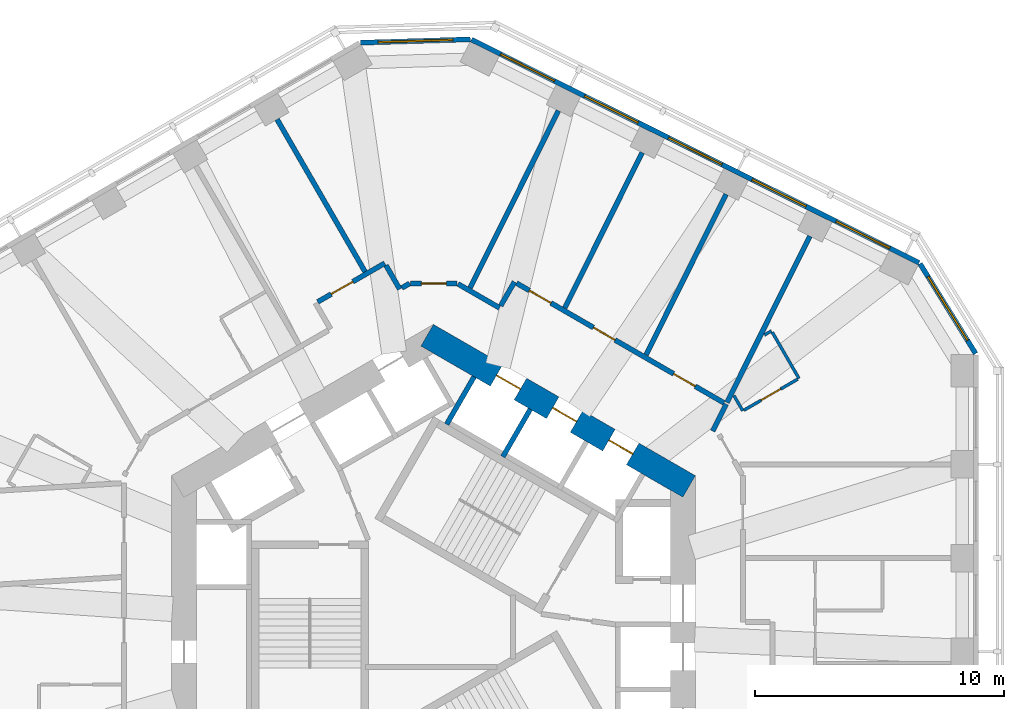
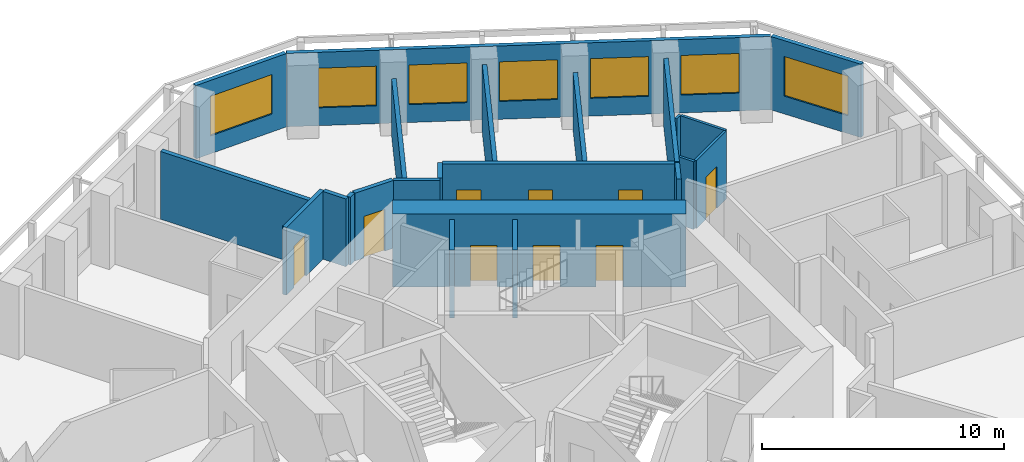
# One storey, part 8 of 11: 23 walls, 9 doors, 7 windows, 16 openings.
"""IFC4 building model written with IfcOpenShell, lengths in metres."""

import ifcopenshell
import ifcopenshell.guid

model = None  # the IFC model being written
_history = None  # IfcOwnerHistory: only IFC2X3 demands one
_inside = {}  # id of a spatial element -> (the spatial element, [elements in it])
_under = {}  # id of a project, library or spatial element -> (it, [spatial elements below it])
_declared = {}  # id of a project -> (the project, [libraries it declares])
_typed = {}  # id of a type object -> (the type object, [elements of that type])
_made_of = {}  # id of a material, layer set ... -> (it, [elements and type objects made of it])


def new_model(schema):
    """Start an empty IFC model of exactly this schema.

    Asked for "IFC4X3", IfcOpenShell would pick the latest addendum, in which some entities
    have other attributes; the version numbers below select the first issue.
    IFC2X3 requires an IfcOwnerHistory on every rooted entity: one is made here for all.
    """
    global model, _history
    if schema == "IFC4X3":
        model = ifcopenshell.file(schema_version=(4, 3, 0, 0))
    else:
        model = ifcopenshell.file(schema=schema)
    _inside.clear()
    _under.clear()
    _declared.clear()
    _typed.clear()
    _made_of.clear()
    _history = None
    if model.schema == "IFC2X3":
        org = make("IfcOrganization", Name="unknown")
        user = make(
            "IfcPersonAndOrganization",
            ThePerson=make("IfcPerson", FamilyName="unknown"),
            TheOrganization=org,
        )
        app = make(
            "IfcApplication",
            ApplicationDeveloper=org,
            Version="unknown",
            ApplicationFullName="unknown",
            ApplicationIdentifier="unknown",
        )
        _history = make(
            "IfcOwnerHistory",
            OwningUser=user,
            OwningApplication=app,
            ChangeAction="ADDED",
            CreationDate=0,
        )
    return model


def make(cls, **values):
    """One entity of the class cls with the attributes given. An attribute that is None is left unset."""
    return model.create_entity(
        cls, **{name: value for name, value in values.items() if value is not None}
    )


def rooted(cls, **values):
    """An entity with a GlobalId (a new one), such as an element, a storey or a relation."""
    return make(cls, GlobalId=ifcopenshell.guid.new(), OwnerHistory=_history, **values)


def si_unit(unit_type, name, prefix=None):
    """IfcSIUnit, for example si_unit("LENGTHUNIT", "METRE", prefix="MILLI")."""
    return make("IfcSIUnit", UnitType=unit_type, Prefix=prefix, Name=name)


def assignment(units):
    """IfcUnitAssignment: the units of a project."""
    return None if units is None else make("IfcUnitAssignment", Units=units)


def point(xyz):
    """IfcCartesianPoint."""
    return None if xyz is None else make("IfcCartesianPoint", Coordinates=xyz)


def direction(xyz):
    """IfcDirection."""
    return None if xyz is None else make("IfcDirection", DirectionRatios=xyz)


def frame(location, z_axis=None, x_axis=None):
    """IfcAxis2Placement3D, a coordinate frame: its origin and axes. An axis left out is left unset."""
    return make(
        "IfcAxis2Placement3D",
        Location=point(location),
        Axis=direction(z_axis),
        RefDirection=direction(x_axis),
    )


def frame_2d(location, x_axis=None):
    """IfcAxis2Placement2D, a coordinate frame in the plane: its origin and x axis."""
    return make(
        "IfcAxis2Placement2D", Location=point(location), RefDirection=direction(x_axis)
    )


def origin():
    """The frame at (0, 0, 0) with its axes left unset."""
    return frame((0.0, 0.0, 0.0))


def place(relative_to, where):
    """IfcLocalPlacement: puts the frame where relative to a parent placement (None: the world)."""
    return make(
        "IfcLocalPlacement", PlacementRelTo=relative_to, RelativePlacement=where
    )


def context(
    kind, dimensions, precision=None, world=None, true_north=None, identifier=None
):
    """IfcGeometricRepresentationContext, for example the 3D "Model" context."""
    return make(
        "IfcGeometricRepresentationContext",
        ContextIdentifier=identifier,
        ContextType=kind,
        CoordinateSpaceDimension=dimensions,
        Precision=precision,
        WorldCoordinateSystem=world,
        TrueNorth=true_north,
    )


def subcontext(parent, identifier, kind, view, scale=None):
    """IfcGeometricRepresentationSubContext, for example "Body" below "Model"."""
    return make(
        "IfcGeometricRepresentationSubContext",
        ContextIdentifier=identifier,
        ContextType=kind,
        ParentContext=parent,
        TargetScale=scale,
        TargetView=view,
    )


def project(units=None, contexts=None):
    """IfcProject with its units and contexts."""
    return rooted(
        "IfcProject",
        Name="project",
        RepresentationContexts=contexts,
        UnitsInContext=assignment(units),
    )


def spatial(cls, under=None, at=None, **own):
    """A site, building, storey or space (cls), placed at a placement, below another one or the project."""
    s = rooted(cls, ObjectPlacement=at, **own)
    if under is not None:
        _under.setdefault(under.id(), (under, []))[1].append(s)
    return s


def profile(cls, at=None, kind="AREA", **sizes):
    """A parametric profile (cls). Its sizes go by their IFC names, for example OverallWidth=200.0."""
    return make(cls, ProfileType=kind, Position=at, **sizes)


def rectangle(**sizes):
    """IfcRectangleProfileDef."""
    return profile("IfcRectangleProfileDef", **sizes)


def extrude(swept, where, along, depth):
    """IfcExtrudedAreaSolid: the profile swept, set in the frame where, extruded along a direction by depth."""
    return make(
        "IfcExtrudedAreaSolid",
        SweptArea=swept,
        Position=where,
        ExtrudedDirection=direction(along),
        Depth=depth,
    )


def shape(context_of_items, identifier, shape_type, items):
    """IfcShapeRepresentation: the items that make up one representation, for example the "Body"."""
    return make(
        "IfcShapeRepresentation",
        ContextOfItems=context_of_items,
        RepresentationIdentifier=identifier,
        RepresentationType=shape_type,
        Items=items,
    )


def material(Name=None, Category=None):
    """IfcMaterial."""
    return make("IfcMaterial", Name=Name, Category=Category)


def layer(
    of_material, thickness, ventilated=None, Name=None, Category=None, Priority=None
):
    """IfcMaterialLayer: one layer of a wall or slab, of a material (None: an air gap)."""
    return make(
        "IfcMaterialLayer",
        Material=of_material,
        LayerThickness=thickness,
        IsVentilated=ventilated,
        Name=Name,
        Category=Category,
        Priority=Priority,
    )


def layer_set(layers, Name=None):
    """IfcMaterialLayerSet."""
    return make("IfcMaterialLayerSet", MaterialLayers=layers, LayerSetName=Name)


def made_of(thing, what):
    """Note that an element or type object is made of a material, layer set ...; save() writes the relation."""
    if what is not None:
        _made_of.setdefault(what.id(), (what, []))[1].append(thing)
    return thing


def type_object(cls, material=None, **own):
    """A type object (cls), such as IfcWallType, which elements share."""
    return made_of(rooted(cls, **own), material)


def element(
    cls,
    number,
    at=None,
    inside=None,
    cuts=None,
    type_object=None,
    material=None,
    context=None,
    identifier="Body",
    shape_type=None,
    held_by="IfcProductDefinitionShape",
    body=None,
    shapes=None,
    **own,
):
    """One element of the class cls, such as IfcWall. Its Tag is "e" and its number.

    at: its placement. inside: the storey or other place that contains it. cuts: it is an
    opening in that element (IfcRelVoidsElement). A single representation is given by context,
    identifier, shape_type and body (its items); several are given by shapes. held_by: the class
    of the entity that holds the representations. save() writes the other relations.
    """
    e = rooted(cls, Tag="e%d" % number, ObjectPlacement=at, **own)
    if body is not None:
        shapes = [shape(context, identifier, shape_type, body)]
    if shapes is not None:
        e.Representation = make(held_by, Representations=shapes)
    if inside is not None:
        _inside.setdefault(inside.id(), (inside, []))[1].append(e)
    if cuts is not None:
        rooted(
            "IfcRelVoidsElement", RelatingBuildingElement=cuts, RelatedOpeningElement=e
        )
    if type_object is not None:
        _typed.setdefault(type_object.id(), (type_object, []))[1].append(e)
    return made_of(e, material)


def fill(opening, filler):
    """IfcRelFillsElement: the door or window that sits in an opening."""
    return rooted(
        "IfcRelFillsElement",
        RelatingOpeningElement=opening,
        RelatedBuildingElement=filler,
    )


def aggregate(whole, parts):
    """IfcRelAggregates: a whole, such as a stair, and the parts it consists of."""
    return rooted("IfcRelAggregates", RelatingObject=whole, RelatedObjects=parts)


def save(model, path):
    """Write the relations noted so far, then the file.

    IfcRelAggregates (storeys below a building ...), IfcRelContainedInSpatialStructure (elements
    in a storey), IfcRelDefinesByType, IfcRelAssociatesMaterial and IfcRelDeclares: one each for
    every whole, place, type object, material and project.
    """
    for whole, parts in _under.values():
        aggregate(whole, parts)
    for where, things in _inside.values():
        rooted(
            "IfcRelContainedInSpatialStructure",
            RelatedElements=things,
            RelatingStructure=where,
        )
    for kind, things in _typed.values():
        rooted("IfcRelDefinesByType", RelatedObjects=things, RelatingType=kind)
    for what, things in _made_of.values():
        rooted("IfcRelAssociatesMaterial", RelatedObjects=things, RelatingMaterial=what)
    for by, libraries in _declared.values():
        rooted("IfcRelDeclares", RelatingContext=by, RelatedDefinitions=libraries)
    model.write(path)


model = new_model("IFC4")

# Units and contexts
model_context = context("Model", 3, precision=1e-05, world=origin(), true_north=direction((0.0, 1.0)))
body_context = subcontext(model_context, "Body", "Model", "MODEL_VIEW")
ifc_project = project(units=[si_unit("LENGTHUNIT", "METRE"), si_unit("AREAUNIT", "SQUARE_METRE"), si_unit("VOLUMEUNIT", "CUBIC_METRE"), si_unit("PLANEANGLEUNIT", "RADIAN"), si_unit("MASSUNIT", "GRAM", prefix="KILO")], contexts=[model_context])

# Site, building, storey
site_placement = place(None, origin())
site = spatial("IfcSite", under=ifc_project, at=site_placement, CompositionType="ELEMENT")
building_placement = place(site_placement, origin())
building = spatial("IfcBuilding", under=site, at=building_placement, Name="Vanh Sen Convention Tower", CompositionType="ELEMENT")
storey_placement = place(building_placement, frame((0.0, 0.0, 131.800048828125)))
storey = spatial("IfcBuildingStorey", under=building, at=storey_placement, Name="L32", CompositionType="ELEMENT", Elevation=131.800048828125)

# Walls
ifc_material_1 = material(Name="Moisture-resistant gypsum board on steel studs", Category="steel")
ifc_layer_1 = layer(ifc_material_1, 0.1201171875)
ifc_layer_set_1 = layer_set([ifc_layer_1], Name="Moisture-resistant gypsum board on steel studs")
wall_type_1 = type_object("IfcWallType", Name="Bathroom partition 120", PredefinedType="PARTITIONING", material=ifc_layer_set_1)
wall_1_placement = place(storey_placement, frame((12.40087890625, 8.66064453125, 0.0), z_axis=(0.0, 0.0, 1.0), x_axis=(-0.499831418649, 0.866122712398, 0.0)))
element("IfcWall", 1, at=wall_1_placement, inside=storey, type_object=wall_type_1, Name="Bathroom partition 120", PredefinedType="PARTITIONING", context=body_context, shape_type="SweptSolid", body=[
    extrude(rectangle(XDim=0.711181640625, YDim=0.1201171875, at=frame_2d((0.35546875, 0.0))), origin(), (0.0, 0.0, 1.0), 3.419921875),
])
wall_2_placement = place(storey_placement, frame((13.269287109375, 11.702392578125, 0.0), z_axis=(0.0, 0.0, 1.0), x_axis=(0.865936922628, 0.500153222552, 0.0)))
element("IfcWall", 2, at=wall_2_placement, inside=storey, type_object=wall_type_1, Name="Bathroom partition 120", PredefinedType="PARTITIONING", context=body_context, shape_type="SweptSolid", body=[
    extrude(rectangle(XDim=0.3271484375, YDim=0.1201171875, at=frame_2d((0.16357421875, 0.0))), origin(), (0.0, 0.0, 1.0), 3.419921875),
])
wall_3_placement = place(storey_placement, frame((13.58251953125, 11.81396484375, 0.0), z_axis=(0.0, 0.0, 1.0), x_axis=(0.500028586798, -0.86600889856, 0.0)))
element("IfcWall", 3, at=wall_3_placement, inside=storey, type_object=wall_type_1, Name="Bathroom partition 120", PredefinedType="PARTITIONING", context=body_context, shape_type="SweptSolid", body=[
    extrude(rectangle(XDim=2.139892578125, YDim=0.1201171875, at=frame_2d((1.06982421875, 0.0))), origin(), (0.0, 0.0, 1.0), 3.419921875),
])

# Wall, opening, door
wall_4_placement = place(storey_placement, frame((14.6005859375, 9.9306640625, 0.0), z_axis=(0.0, 0.0, 1.0), x_axis=(-0.866023285932, -0.50000366821, 0.0)))
wall_4 = element("IfcWall", 4, at=wall_4_placement, inside=storey, type_object=wall_type_1, Name="Bathroom partition 120", PredefinedType="PARTITIONING", context=body_context, shape_type="SweptSolid", body=[
    extrude(rectangle(XDim=2.47998046875, YDim=0.1201171875, at=frame_2d((1.239990234375, 0.0))), origin(), (0.0, 0.0, 1.0), 3.419921875),
])
opening_1_placement = place(wall_4_placement, frame((0.7900390625, 0.0, 0.0)))
opening_1 = element("IfcOpeningElement", 5, at=opening_1_placement, cuts=wall_4, Name="Opening D32107", PredefinedType="OPENING", context=body_context, shape_type="SweptSolid", body=[
    extrude(rectangle(XDim=0.89990234375, YDim=2.10009765625, at=frame_2d((0.449951171875, 1.050048828125))), frame((0.0, 0.070068359375, 0.0), z_axis=(0.0, -1.0, 0.0), x_axis=(1.0, 0.0, 0.0)), (0.0, 0.0, 1.0), 0.14013671875),
])
ifc_material_2 = material(Name="Laminate door in steel frame", Category="steel")
door_type_1 = type_object("IfcDoorType", Name="Room internal door 900", OperationType="SINGLE_SWING_LEFT", PredefinedType="DOOR", material=ifc_material_2)
door_1_placement = place(opening_1_placement, origin())
door_1 = element("IfcDoor", 6, at=door_1_placement, inside=storey, type_object=door_type_1, Name="Internal room door D32107", OperationType="SINGLE_SWING_LEFT", OverallHeight=2.10009765625, OverallWidth=0.89990234375, PredefinedType="DOOR", context=body_context, shape_type="SweptSolid", body=[
    extrude(rectangle(XDim=0.89990234375, YDim=2.10009765625, at=frame_2d((0.449951171875, 1.050048828125))), frame((0.0, 0.02490234375, 0.0), z_axis=(0.0, -1.0, 0.0), x_axis=(1.0, 0.0, 0.0)), (0.0, 0.0, 1.0), 0.050048828125),
])
fill(opening_1, door_1)

# Wall, openings, doors
ifc_material_3 = material(Name="Concrete C80/95", Category="concrete")
ifc_layer_2 = layer(ifc_material_3, 1.0)
ifc_layer_set_2 = layer_set([ifc_layer_2], Name="Concrete C80/95")
wall_type_2 = type_object("IfcWallType", Name="Core outer wall 1000 C80/95", PredefinedType="SHEAR", material=ifc_layer_set_2)
wall_5_placement = place(storey_placement, frame((10.25, 5.629150390625, 0.0), z_axis=(0.0, 0.0, 1.0), x_axis=(-0.866022616891, 0.50000482701, 0.0)))
wall_5 = element("IfcWall", 7, at=wall_5_placement, inside=storey, type_object=wall_type_2, Name="Core wall face NE L32", PredefinedType="SHEAR", context=body_context, shape_type="SweptSolid", body=[
    extrude(rectangle(XDim=12.12451171875, YDim=1.0, at=frame_2d((6.062255859375, 0.0))), origin(), (0.0, 0.0, 1.0), 3.699951171875),
])
opening_2_placement = place(wall_5_placement, frame((2.6123046875, 0.0, 0.0)))
opening_2 = element("IfcOpeningElement", 8, at=opening_2_placement, cuts=wall_5, Name="Opening LD-LR3", PredefinedType="OPENING", context=body_context, shape_type="SweptSolid", body=[
    extrude(rectangle(XDim=1.10009765625, YDim=2.10009765625, at=frame_2d((0.550048828125, 1.050048828125))), frame((0.0, 0.510009765625, 0.0), z_axis=(0.0, -1.0, 0.0), x_axis=(1.0, 0.0, 0.0)), (0.0, 0.0, 1.0), 1.02001953125),
])
opening_3_placement = place(wall_5_placement, frame((5.212158203125, 0.0, 0.0)))
opening_3 = element("IfcOpeningElement", 9, at=opening_3_placement, cuts=wall_5, Name="Opening LD-LR4", PredefinedType="OPENING", context=body_context, shape_type="SweptSolid", body=[
    extrude(rectangle(XDim=1.10009765625, YDim=2.10009765625, at=frame_2d((0.550048828125, 1.050048828125))), frame((0.0, 0.510009765625, 0.0), z_axis=(0.0, -1.0, 0.0), x_axis=(1.0, 0.0, 0.0)), (0.0, 0.0, 1.0), 1.02001953125),
])
opening_4_placement = place(wall_5_placement, frame((7.812255859375, 0.0, 0.0)))
opening_4 = element("IfcOpeningElement", 10, at=opening_4_placement, cuts=wall_5, Name="Opening LD-LR5", PredefinedType="OPENING", context=body_context, shape_type="SweptSolid", body=[
    extrude(rectangle(XDim=1.10009765625, YDim=2.10009765625, at=frame_2d((0.550048828125, 1.050048828125))), frame((0.0, 0.510009765625, 0.0), z_axis=(0.0, -1.0, 0.0), x_axis=(1.0, 0.0, 0.0)), (0.0, 0.0, 1.0), 1.02001953125),
])
ifc_material_4 = material(Name="Stainless steel", Category="steel")
door_type_2 = type_object("IfcDoorType", Name="Lift landing door 1100", OperationType="DOUBLE_DOOR_SLIDING", PredefinedType="DOOR", material=ifc_material_4)
door_2_placement = place(opening_2_placement, origin())
door_2 = element("IfcDoor", 11, at=door_2_placement, inside=storey, type_object=door_type_2, Name="Lift LR3 landing door LD-LR3", OperationType="DOUBLE_DOOR_SLIDING", OverallHeight=2.10009765625, OverallWidth=1.10009765625, PredefinedType="DOOR", context=body_context, shape_type="SweptSolid", body=[
    extrude(rectangle(XDim=1.10009765625, YDim=2.10009765625, at=frame_2d((0.550048828125, 1.050048828125))), frame((0.0, 0.02490234375, 0.0), z_axis=(0.0, -1.0, 0.0), x_axis=(1.0, 0.0, 0.0)), (0.0, 0.0, 1.0), 0.050048828125),
])
fill(opening_2, door_2)
door_3_placement = place(opening_3_placement, origin())
door_3 = element("IfcDoor", 12, at=door_3_placement, inside=storey, type_object=door_type_2, Name="Lift LR4 landing door LD-LR4", OperationType="DOUBLE_DOOR_SLIDING", OverallHeight=2.10009765625, OverallWidth=1.10009765625, PredefinedType="DOOR", context=body_context, shape_type="SweptSolid", body=[
    extrude(rectangle(XDim=1.10009765625, YDim=2.10009765625, at=frame_2d((0.550048828125, 1.050048828125))), frame((0.0, 0.02490234375, 0.0), z_axis=(0.0, -1.0, 0.0), x_axis=(1.0, 0.0, 0.0)), (0.0, 0.0, 1.0), 0.050048828125),
])
fill(opening_3, door_3)
door_4_placement = place(opening_4_placement, origin())
door_4 = element("IfcDoor", 13, at=door_4_placement, inside=storey, type_object=door_type_2, Name="Lift LR5 landing door LD-LR5", OperationType="DOUBLE_DOOR_SLIDING", OverallHeight=2.10009765625, OverallWidth=1.10009765625, PredefinedType="DOOR", context=body_context, shape_type="SweptSolid", body=[
    extrude(rectangle(XDim=1.10009765625, YDim=2.10009765625, at=frame_2d((0.550048828125, 1.050048828125))), frame((0.0, 0.02490234375, 0.0), z_axis=(0.0, -1.0, 0.0), x_axis=(1.0, 0.0, 0.0)), (0.0, 0.0, 1.0), 0.050048828125),
])
fill(opening_4, door_4)

# Wall, opening, door
ifc_material_5 = material(Name="Gypsum board on steel studs with mineral wool", Category="steel")
ifc_layer_3 = layer(ifc_material_5, 0.199951171875)
ifc_layer_set_3 = layer_set([ifc_layer_3], Name="Gypsum board on steel studs with mineral wool")
wall_type_3 = type_object("IfcWallType", Name="Corridor partition wall 200", PredefinedType="PARTITIONING", material=ifc_layer_set_3)
wall_6_placement = place(storey_placement, frame((-1.949951171875, 14.579345703125, 0.0), z_axis=(0.0, 0.0, 1.0), x_axis=(-0.866011260204, -0.500024496599, 0.0)))
wall_6 = element("IfcWall", 14, at=wall_6_placement, inside=storey, type_object=wall_type_3, Name="Corridor partition wall 200", PredefinedType="PARTITIONING", context=body_context, shape_type="SweptSolid", body=[
    extrude(rectangle(XDim=3.101806640625, YDim=0.199951171875, at=frame_2d((1.55078125, 0.0))), origin(), (0.0, 0.0, 1.0), 3.419921875),
])
opening_5_placement = place(wall_6_placement, frame((1.47802734375, 0.0, 0.0)))
opening_5 = element("IfcOpeningElement", 15, at=opening_5_placement, cuts=wall_6, Name="Opening D32112", PredefinedType="OPENING", context=body_context, shape_type="SweptSolid", body=[
    extrude(rectangle(XDim=1.0, YDim=2.10009765625, at=frame_2d((0.5, 1.050048828125))), frame((0.0, 0.10986328125, 0.0), z_axis=(0.0, -1.0, 0.0), x_axis=(1.0, 0.0, 0.0)), (0.0, 0.0, 1.0), 0.219970703125),
])
ifc_material_6 = material(Name="Glazed fire door in steel frame", Category="steel")
door_type_3 = type_object("IfcDoorType", Name="Tenant entrance door 1000", OperationType="SINGLE_SWING_LEFT", PredefinedType="DOOR", material=ifc_material_6)
door_5_placement = place(opening_5_placement, origin())
door_5 = element("IfcDoor", 16, at=door_5_placement, inside=storey, type_object=door_type_3, Name="Tenant suite entrance door D32112", OperationType="SINGLE_SWING_LEFT", OverallHeight=2.10009765625, OverallWidth=1.0, PredefinedType="DOOR", context=body_context, shape_type="SweptSolid", body=[
    extrude(rectangle(XDim=1.0, YDim=2.10009765625, at=frame_2d((0.5, 1.050048828125))), frame((0.0, 0.02490234375, 0.0), z_axis=(0.0, -1.0, 0.0), x_axis=(1.0, 0.0, 0.0)), (0.0, 0.0, 1.0), 0.050048828125),
])
fill(opening_5, door_5)

# Walls
wall_7_placement = place(storey_placement, frame((-1.349365234375, 13.539306640625, 0.0), z_axis=(0.0, 0.0, 1.0), x_axis=(-0.500074377092, 0.865982457891, 0.0)))
element("IfcWall", 17, at=wall_7_placement, inside=storey, type_object=wall_type_3, Name="Corridor partition wall 200", PredefinedType="PARTITIONING", context=body_context, shape_type="SweptSolid", body=[
    extrude(rectangle(XDim=1.100830078125, YDim=0.199951171875, at=frame_2d((0.55029296875, 0.0))), origin(), (0.0, 0.0, 1.0), 3.419921875),
])
wall_8_placement = place(storey_placement, frame((-0.949951171875, 13.769775390625, 0.0), z_axis=(0.0, 0.0, 1.0), x_axis=(-0.865904111586, -0.500210025428, 0.0)))
element("IfcWall", 18, at=wall_8_placement, inside=storey, type_object=wall_type_3, Name="Corridor partition wall 200", PredefinedType="PARTITIONING", context=body_context, shape_type="SweptSolid", body=[
    extrude(rectangle(XDim=0.361083984375, YDim=0.199951171875, at=frame_2d((0.1806640625, 0.0))), origin(), (0.0, 0.0, 1.0), 3.419921875),
])

# Wall, opening, door
wall_9_placement = place(storey_placement, frame((0.949951171875, 13.769775390625, 0.0), z_axis=(0.0, 0.0, 1.0), x_axis=(-1.0, 0.0, 0.0)))
wall_9 = element("IfcWall", 19, at=wall_9_placement, inside=storey, type_object=wall_type_3, Name="Corridor partition wall 200", PredefinedType="PARTITIONING", context=body_context, shape_type="SweptSolid", body=[
    extrude(rectangle(XDim=1.85986328125, YDim=0.199951171875, at=frame_2d((0.929931640625, 0.0))), origin(), (0.0, 0.0, 1.0), 3.419921875),
])
opening_6_placement = place(wall_9_placement, frame((0.429931640625, 0.0, 0.0)))
opening_6 = element("IfcOpeningElement", 20, at=opening_6_placement, cuts=wall_9, Name="Opening D32111", PredefinedType="OPENING", context=body_context, shape_type="SweptSolid", body=[
    extrude(rectangle(XDim=1.0, YDim=2.10009765625, at=frame_2d((0.5, 1.050048828125))), frame((0.0, 0.10986328125, 0.0), z_axis=(0.0, -1.0, 0.0), x_axis=(1.0, 0.0, 0.0)), (0.0, 0.0, 1.0), 0.219970703125),
])
door_6_placement = place(opening_6_placement, origin())
door_6 = element("IfcDoor", 21, at=door_6_placement, inside=storey, type_object=door_type_3, Name="Tenant suite entrance door D32111", OperationType="SINGLE_SWING_LEFT", OverallHeight=2.10009765625, OverallWidth=1.0, PredefinedType="DOOR", context=body_context, shape_type="SweptSolid", body=[
    extrude(rectangle(XDim=1.0, YDim=2.10009765625, at=frame_2d((0.5, 1.050048828125))), frame((0.0, 0.02490234375, 0.0), z_axis=(0.0, -1.0, 0.0), x_axis=(1.0, 0.0, 0.0)), (0.0, 0.0, 1.0), 0.050048828125),
])
fill(opening_6, door_6)

# Walls
wall_10_placement = place(storey_placement, frame((2.6484375, 12.789306640625, 0.0), z_axis=(0.0, 0.0, 1.0), x_axis=(-0.8660607342, 0.499938800931, 0.0)))
element("IfcWall", 22, at=wall_10_placement, inside=storey, type_object=wall_type_3, Name="Corridor partition wall 200", PredefinedType="PARTITIONING", context=body_context, shape_type="SweptSolid", body=[
    extrude(rectangle(XDim=1.921142578125, YDim=0.199951171875, at=frame_2d((0.96044921875, 0.0))), origin(), (0.0, 0.0, 1.0), 3.419921875),
])
wall_11_placement = place(storey_placement, frame((3.248779296875, 13.829345703125, 0.0), z_axis=(0.0, 0.0, 1.0), x_axis=(-0.499812034598, -0.866133898465, 0.0)))
element("IfcWall", 23, at=wall_11_placement, inside=storey, type_object=wall_type_3, Name="Corridor partition wall 200", PredefinedType="PARTITIONING", context=body_context, shape_type="SweptSolid", body=[
    extrude(rectangle(XDim=1.10107421875, YDim=0.199951171875, at=frame_2d((0.550537109375, 0.0))), origin(), (0.0, 0.0, 1.0), 3.419921875),
])
wall_12_placement = place(storey_placement, frame((11.1962890625, 7.85400390625, 0.0), z_axis=(0.0, 0.0, 1.0), x_axis=(0.446241040303, 0.894912808015, 0.0)))
element("IfcWall", 24, at=wall_12_placement, inside=storey, type_object=wall_type_3, Name="Corridor partition wall 200", PredefinedType="PARTITIONING", context=body_context, shape_type="SweptSolid", body=[
    extrude(rectangle(XDim=1.205322265625, YDim=0.199951171875, at=frame_2d((0.6025390625, 0.0))), origin(), (0.0, 0.0, 1.0), 3.419921875),
])

# Wall, openings, doors
wall_13_placement = place(storey_placement, frame((11.646484375, 8.98095703125, 0.0), z_axis=(0.0, 0.0, 1.0), x_axis=(-0.866027142779, 0.499996987961, 0.0)))
wall_13 = element("IfcWall", 25, at=wall_13_placement, inside=storey, type_object=wall_type_3, Name="Corridor partition wall 200", PredefinedType="PARTITIONING", context=body_context, shape_type="SweptSolid", body=[
    extrude(rectangle(XDim=9.5966796875, YDim=0.199951171875, at=frame_2d((4.79833984375, 0.0))), origin(), (0.0, 0.0, 1.0), 3.419921875),
])
opening_7_placement = place(wall_13_placement, frame((1.33056640625, 0.0, 0.0)))
opening_7 = element("IfcOpeningElement", 26, at=opening_7_placement, cuts=wall_13, Name="Opening D32108", PredefinedType="OPENING", context=body_context, shape_type="SweptSolid", body=[
    extrude(rectangle(XDim=1.0, YDim=2.10009765625, at=frame_2d((0.5, 1.050048828125))), frame((0.0, 0.10986328125, 0.0), z_axis=(0.0, -1.0, 0.0), x_axis=(1.0, 0.0, 0.0)), (0.0, 0.0, 1.0), 0.219970703125),
])
opening_8_placement = place(wall_13_placement, frame((5.041748046875, 0.0, 0.0)))
opening_8 = element("IfcOpeningElement", 27, at=opening_8_placement, cuts=wall_13, Name="Opening D32109", PredefinedType="OPENING", context=body_context, shape_type="SweptSolid", body=[
    extrude(rectangle(XDim=1.0, YDim=2.10009765625, at=frame_2d((0.5, 1.050048828125))), frame((0.0, 0.10986328125, 0.0), z_axis=(0.0, -1.0, 0.0), x_axis=(1.0, 0.0, 0.0)), (0.0, 0.0, 1.0), 0.219970703125),
])
opening_9_placement = place(wall_13_placement, frame((8.009521484375, 0.0, 0.0)))
opening_9 = element("IfcOpeningElement", 28, at=opening_9_placement, cuts=wall_13, Name="Opening D32110", PredefinedType="OPENING", context=body_context, shape_type="SweptSolid", body=[
    extrude(rectangle(XDim=1.0, YDim=2.10009765625, at=frame_2d((0.5, 1.050048828125))), frame((0.0, 0.10986328125, 0.0), z_axis=(0.0, -1.0, 0.0), x_axis=(1.0, 0.0, 0.0)), (0.0, 0.0, 1.0), 0.219970703125),
])
door_7_placement = place(opening_7_placement, origin())
door_7 = element("IfcDoor", 29, at=door_7_placement, inside=storey, type_object=door_type_3, Name="Tenant suite entrance door D32108", OperationType="SINGLE_SWING_LEFT", OverallHeight=2.10009765625, OverallWidth=1.0, PredefinedType="DOOR", context=body_context, shape_type="SweptSolid", body=[
    extrude(rectangle(XDim=1.0, YDim=2.10009765625, at=frame_2d((0.5, 1.050048828125))), frame((0.0, 0.02490234375, 0.0), z_axis=(0.0, -1.0, 0.0), x_axis=(1.0, 0.0, 0.0)), (0.0, 0.0, 1.0), 0.050048828125),
])
fill(opening_7, door_7)
door_8_placement = place(opening_8_placement, origin())
door_8 = element("IfcDoor", 30, at=door_8_placement, inside=storey, type_object=door_type_3, Name="Tenant suite entrance door D32109", OperationType="SINGLE_SWING_LEFT", OverallHeight=2.10009765625, OverallWidth=1.0, PredefinedType="DOOR", context=body_context, shape_type="SweptSolid", body=[
    extrude(rectangle(XDim=1.0, YDim=2.10009765625, at=frame_2d((0.5, 1.050048828125))), frame((0.0, 0.02490234375, 0.0), z_axis=(0.0, -1.0, 0.0), x_axis=(1.0, 0.0, 0.0)), (0.0, 0.0, 1.0), 0.050048828125),
])
fill(opening_8, door_8)
door_9_placement = place(opening_9_placement, origin())
door_9 = element("IfcDoor", 31, at=door_9_placement, inside=storey, type_object=door_type_3, Name="Tenant suite entrance door D32110", OperationType="SINGLE_SWING_LEFT", OverallHeight=2.10009765625, OverallWidth=1.0, PredefinedType="DOOR", context=body_context, shape_type="SweptSolid", body=[
    extrude(rectangle(XDim=1.0, YDim=2.10009765625, at=frame_2d((0.5, 1.050048828125))), frame((0.0, 0.02490234375, 0.0), z_axis=(0.0, -1.0, 0.0), x_axis=(1.0, 0.0, 0.0)), (0.0, 0.0, 1.0), 0.050048828125),
])
fill(opening_9, door_9)

# Wall, opening, window
ifc_material_7 = material(Name="Insulated lightweight infill wall")
ifc_layer_4 = layer(ifc_material_7, 0.199951171875)
ifc_layer_set_4 = layer_set([ifc_layer_4], Name="Insulated lightweight infill wall")
wall_type_4 = type_object("IfcWallType", Name="External wall 200", PredefinedType="STANDARD", material=ifc_layer_set_4)
wall_14_placement = place(storey_placement, frame((21.735107421875, 10.9580078125, 0.0), z_axis=(0.0, 0.0, 1.0), x_axis=(-0.526213807775, 0.850352296702, 0.0)))
wall_14 = element("IfcWall", 32, at=wall_14_placement, inside=storey, type_object=wall_type_4, Name="External wall CH1 L32", PredefinedType="STANDARD", context=body_context, shape_type="SweptSolid", body=[
    extrude(rectangle(XDim=4.23828125, YDim=0.199951171875, at=frame_2d((2.119140625, 0.0))), origin(), (0.0, 0.0, 1.0), 3.699951171875),
])
opening_10_placement = place(wall_14_placement, frame((0.619140625, 0.0, 0.89990234375)))
opening_10 = element("IfcOpeningElement", 33, at=opening_10_placement, cuts=wall_14, Name="Opening WO2-CH11", PredefinedType="OPENING", context=body_context, shape_type="SweptSolid", body=[
    extrude(rectangle(XDim=3.0, YDim=2.0, at=frame_2d((1.5, 1.0))), frame((0.0, 0.10986328125, 0.0), z_axis=(0.0, -1.0, 0.0), x_axis=(1.0, 0.0, 0.0)), (0.0, 0.0, 1.0), 0.219970703125),
])
ifc_material_8 = material(Name="Aluminium frame with clear low-emissivity glass", Category="aluminium")
window_type_1 = type_object("IfcWindowType", Name="Office window 3000 x 2000", PartitioningType="SINGLE_PANEL", PredefinedType="WINDOW", material=ifc_material_8)
window_1_placement = place(opening_10_placement, origin())
window_1 = element("IfcWindow", 34, at=window_1_placement, inside=storey, type_object=window_type_1, Name="Window WO2-CH11", OverallHeight=2.0, OverallWidth=3.0, PartitioningType="SINGLE_PANEL", PredefinedType="WINDOW", context=body_context, shape_type="SweptSolid", body=[
    extrude(rectangle(XDim=3.0, YDim=2.0, at=frame_2d((1.5, 1.0))), frame((0.0, 0.030029296875, 0.0), z_axis=(0.0, -1.0, 0.0), x_axis=(1.0, 0.0, 0.0)), (0.0, 0.0, 1.0), 0.06005859375),
])
fill(opening_10, window_1)

# Wall, openings, windows
wall_15_placement = place(storey_placement, frame((19.46435546875, 14.598876953125, 0.0), z_axis=(0.0, 0.0, 1.0), x_axis=(-0.894935755043, 0.446195018289, 0.0)))
wall_15 = element("IfcWall", 35, at=wall_15_placement, inside=storey, type_object=wall_type_4, Name="External wall NE L32", PredefinedType="STANDARD", context=body_context, shape_type="SweptSolid", body=[
    extrude(rectangle(XDim=20.043701171875, YDim=0.199951171875, at=frame_2d((10.02197265625, 0.0))), origin(), (0.0, 0.0, 1.0), 3.699951171875),
])
opening_11_placement = place(wall_15_placement, frame((1.31298828125, 0.0, 0.89990234375)))
opening_11 = element("IfcOpeningElement", 36, at=opening_11_placement, cuts=wall_15, Name="Opening WO1-NE1", PredefinedType="OPENING", context=body_context, shape_type="SweptSolid", body=[
    extrude(rectangle(XDim=2.39990234375, YDim=2.0, at=frame_2d((1.199951171875, 1.0))), frame((0.0, 0.10986328125, 0.0), z_axis=(0.0, -1.0, 0.0), x_axis=(1.0, 0.0, 0.0)), (0.0, 0.0, 1.0), 0.219970703125),
])
opening_12_placement = place(wall_15_placement, frame((5.06689453125, 0.0, 0.89990234375)))
opening_12 = element("IfcOpeningElement", 37, at=opening_12_placement, cuts=wall_15, Name="Opening WO1-NE2", PredefinedType="OPENING", context=body_context, shape_type="SweptSolid", body=[
    extrude(rectangle(XDim=2.39990234375, YDim=2.0, at=frame_2d((1.199951171875, 1.0))), frame((0.0, 0.10986328125, 0.0), z_axis=(0.0, -1.0, 0.0), x_axis=(1.0, 0.0, 0.0)), (0.0, 0.0, 1.0), 0.219970703125),
])
opening_13_placement = place(wall_15_placement, frame((8.821044921875, 0.0, 0.89990234375)))
opening_13 = element("IfcOpeningElement", 38, at=opening_13_placement, cuts=wall_15, Name="Opening WO1-NE3", PredefinedType="OPENING", context=body_context, shape_type="SweptSolid", body=[
    extrude(rectangle(XDim=2.39990234375, YDim=2.0, at=frame_2d((1.199951171875, 1.0))), frame((0.0, 0.10986328125, 0.0), z_axis=(0.0, -1.0, 0.0), x_axis=(1.0, 0.0, 0.0)), (0.0, 0.0, 1.0), 0.219970703125),
])
opening_14_placement = place(wall_15_placement, frame((12.5751953125, 0.0, 0.89990234375)))
opening_14 = element("IfcOpeningElement", 39, at=opening_14_placement, cuts=wall_15, Name="Opening WO1-NE4", PredefinedType="OPENING", context=body_context, shape_type="SweptSolid", body=[
    extrude(rectangle(XDim=2.39990234375, YDim=2.0, at=frame_2d((1.199951171875, 1.0))), frame((0.0, 0.10986328125, 0.0), z_axis=(0.0, -1.0, 0.0), x_axis=(1.0, 0.0, 0.0)), (0.0, 0.0, 1.0), 0.219970703125),
])
opening_15_placement = place(wall_15_placement, frame((16.329345703125, 0.0, 0.89990234375)))
opening_15 = element("IfcOpeningElement", 40, at=opening_15_placement, cuts=wall_15, Name="Opening WO1-NE5", PredefinedType="OPENING", context=body_context, shape_type="SweptSolid", body=[
    extrude(rectangle(XDim=2.39990234375, YDim=2.0, at=frame_2d((1.199951171875, 1.0))), frame((0.0, 0.10986328125, 0.0), z_axis=(0.0, -1.0, 0.0), x_axis=(1.0, 0.0, 0.0)), (0.0, 0.0, 1.0), 0.219970703125),
])
window_type_2 = type_object("IfcWindowType", Name="Office window 2400 x 2000", PartitioningType="SINGLE_PANEL", PredefinedType="WINDOW", material=ifc_material_8)
window_2_placement = place(opening_11_placement, origin())
window_2 = element("IfcWindow", 41, at=window_2_placement, inside=storey, type_object=window_type_2, Name="Window WO1-NE1", OverallHeight=2.0, OverallWidth=2.39990234375, PartitioningType="SINGLE_PANEL", PredefinedType="WINDOW", context=body_context, shape_type="SweptSolid", body=[
    extrude(rectangle(XDim=2.39990234375, YDim=2.0, at=frame_2d((1.199951171875, 1.0))), frame((0.0, 0.030029296875, 0.0), z_axis=(0.0, -1.0, 0.0), x_axis=(1.0, 0.0, 0.0)), (0.0, 0.0, 1.0), 0.06005859375),
])
fill(opening_11, window_2)
window_3_placement = place(opening_12_placement, origin())
window_3 = element("IfcWindow", 42, at=window_3_placement, inside=storey, type_object=window_type_2, Name="Window WO1-NE2", OverallHeight=2.0, OverallWidth=2.39990234375, PartitioningType="SINGLE_PANEL", PredefinedType="WINDOW", context=body_context, shape_type="SweptSolid", body=[
    extrude(rectangle(XDim=2.39990234375, YDim=2.0, at=frame_2d((1.199951171875, 1.0))), frame((0.0, 0.030029296875, 0.0), z_axis=(0.0, -1.0, 0.0), x_axis=(1.0, 0.0, 0.0)), (0.0, 0.0, 1.0), 0.06005859375),
])
fill(opening_12, window_3)
window_4_placement = place(opening_13_placement, origin())
window_4 = element("IfcWindow", 43, at=window_4_placement, inside=storey, type_object=window_type_2, Name="Window WO1-NE3", OverallHeight=2.0, OverallWidth=2.39990234375, PartitioningType="SINGLE_PANEL", PredefinedType="WINDOW", context=body_context, shape_type="SweptSolid", body=[
    extrude(rectangle(XDim=2.39990234375, YDim=2.0, at=frame_2d((1.199951171875, 1.0))), frame((0.0, 0.030029296875, 0.0), z_axis=(0.0, -1.0, 0.0), x_axis=(1.0, 0.0, 0.0)), (0.0, 0.0, 1.0), 0.06005859375),
])
fill(opening_13, window_4)
window_5_placement = place(opening_14_placement, origin())
window_5 = element("IfcWindow", 44, at=window_5_placement, inside=storey, type_object=window_type_2, Name="Window WO1-NE4", OverallHeight=2.0, OverallWidth=2.39990234375, PartitioningType="SINGLE_PANEL", PredefinedType="WINDOW", context=body_context, shape_type="SweptSolid", body=[
    extrude(rectangle(XDim=2.39990234375, YDim=2.0, at=frame_2d((1.199951171875, 1.0))), frame((0.0, 0.030029296875, 0.0), z_axis=(0.0, -1.0, 0.0), x_axis=(1.0, 0.0, 0.0)), (0.0, 0.0, 1.0), 0.06005859375),
])
fill(opening_14, window_5)
window_6_placement = place(opening_15_placement, origin())
window_6 = element("IfcWindow", 45, at=window_6_placement, inside=storey, type_object=window_type_2, Name="Window WO1-NE5", OverallHeight=2.0, OverallWidth=2.39990234375, PartitioningType="SINGLE_PANEL", PredefinedType="WINDOW", context=body_context, shape_type="SweptSolid", body=[
    extrude(rectangle(XDim=2.39990234375, YDim=2.0, at=frame_2d((1.199951171875, 1.0))), frame((0.0, 0.030029296875, 0.0), z_axis=(0.0, -1.0, 0.0), x_axis=(1.0, 0.0, 0.0)), (0.0, 0.0, 1.0), 0.06005859375),
])
fill(opening_15, window_6)

# Wall, opening, window
wall_16_placement = place(storey_placement, frame((1.478759765625, 23.552734375, 0.0), z_axis=(0.0, 0.0, 1.0), x_axis=(-0.999534786117, -0.03049936625, 0.0)))
wall_16 = element("IfcWall", 46, at=wall_16_placement, inside=storey, type_object=wall_type_4, Name="External wall CH2 L32", PredefinedType="STANDARD", context=body_context, shape_type="SweptSolid", body=[
    extrude(rectangle(XDim=4.39453125, YDim=0.199951171875, at=frame_2d((2.197265625, 0.0))), origin(), (0.0, 0.0, 1.0), 3.699951171875),
])
opening_16_placement = place(wall_16_placement, frame((0.697509765625, 0.0, 0.89990234375)))
opening_16 = element("IfcOpeningElement", 47, at=opening_16_placement, cuts=wall_16, Name="Opening WO2-CH21", PredefinedType="OPENING", context=body_context, shape_type="SweptSolid", body=[
    extrude(rectangle(XDim=3.0, YDim=2.0, at=frame_2d((1.5, 1.0))), frame((0.0, 0.10986328125, 0.0), z_axis=(0.0, -1.0, 0.0), x_axis=(1.0, 0.0, 0.0)), (0.0, 0.0, 1.0), 0.219970703125),
])
window_7_placement = place(opening_16_placement, origin())
window_7 = element("IfcWindow", 48, at=window_7_placement, inside=storey, type_object=window_type_1, Name="Window WO2-CH21", OverallHeight=2.0, OverallWidth=3.0, PartitioningType="SINGLE_PANEL", PredefinedType="WINDOW", context=body_context, shape_type="SweptSolid", body=[
    extrude(rectangle(XDim=3.0, YDim=2.0, at=frame_2d((1.5, 1.0))), frame((0.0, 0.030029296875, 0.0), z_axis=(0.0, -1.0, 0.0), x_axis=(1.0, 0.0, 0.0)), (0.0, 0.0, 1.0), 0.06005859375),
])
fill(opening_16, window_7)

# Walls
ifc_material_9 = material(Name="Concrete C40/50", Category="concrete")
ifc_layer_5 = layer(ifc_material_9, 0.199951171875)
ifc_layer_set_5 = layer_set([ifc_layer_5], Name="Concrete C40/50")
wall_type_5 = type_object("IfcWallType", Name="Lift shaft wall 200", PredefinedType="PARTITIONING", material=ifc_layer_set_5)
for number, where, z_axis, x_axis, name in (
    (49, (2.783935546875, 6.822021484375, 0.0), (0.0, 0.0, 1.0), (0.50002983664, 0.866008176907, 0.0), "Lift shaft wall L32"),
    (50, (0.5322265625, 8.1220703125, 0.0), (0.0, 0.0, 1.0), (0.500077893725, 0.86598042715, 0.0), "Lift shaft wall L32"),
):
    element("IfcWall", number, at=place(storey_placement, frame(where, z_axis=z_axis, x_axis=x_axis)), inside=storey, type_object=wall_type_5, Name=name, PredefinedType="PARTITIONING", context=body_context, shape_type="SweptSolid", body=[
        extrude(rectangle(XDim=2.199951171875, YDim=0.199951171875, at=frame_2d((1.10009765625, 0.0))), origin(), (0.0, 0.0, 1.0), 3.419921875),
    ])
ifc_layer_6 = layer(ifc_material_5, 0.199951171875)
ifc_layer_set_6 = layer_set([ifc_layer_6], Name="Gypsum board on steel studs with mineral wool")
wall_type_6 = type_object("IfcWallType", Name="Tenant suite wall 200", PredefinedType="PARTITIONING", material=ifc_layer_set_6)
wall_17_placement = place(storey_placement, frame((-6.26416015625, 20.343505859375, 0.0), z_axis=(0.0, 0.0, 1.0), x_axis=(0.500009260695, -0.866020057054, 0.0)))
element("IfcWall", 51, at=wall_17_placement, inside=storey, type_object=wall_type_6, Name="Tenant suite wall 200", PredefinedType="PARTITIONING", context=body_context, shape_type="SweptSolid", body=[
    extrude(rectangle(XDim=7.049072265625, YDim=0.199951171875, at=frame_2d((3.5244140625, 0.0))), origin(), (0.0, 0.0, 1.0), 3.419921875),
])
wall_18_placement = place(storey_placement, frame((5.010498046875, 20.68798828125, 0.0), z_axis=(0.0, 0.0, 1.0), x_axis=(-0.446203062394, -0.894931744386, 0.0)))
element("IfcWall", 52, at=wall_18_placement, inside=storey, type_object=wall_type_6, Name="Tenant suite wall 200", PredefinedType="PARTITIONING", context=body_context, shape_type="SweptSolid", body=[
    extrude(rectangle(XDim=7.926513671875, YDim=0.199951171875, at=frame_2d((3.96337890625, 0.0))), origin(), (0.0, 0.0, 1.0), 2.869873046875),
])
wall_19_placement = place(storey_placement, frame((8.3701171875, 19.012939453125, 0.0), z_axis=(0.0, 0.0, 1.0), x_axis=(-0.446187985757, -0.894939261272, 0.0)))
element("IfcWall", 53, at=wall_19_placement, inside=storey, type_object=wall_type_6, Name="Tenant suite wall 200", PredefinedType="PARTITIONING", context=body_context, shape_type="SweptSolid", body=[
    extrude(rectangle(XDim=6.952880859375, YDim=0.199951171875, at=frame_2d((3.4765625, 0.0))), origin(), (0.0, 0.0, 1.0), 3.419921875),
])
wall_20_placement = place(storey_placement, frame((11.729736328125, 17.337890625, 0.0), z_axis=(0.0, 0.0, 1.0), x_axis=(-0.446193589186, -0.894936467561, 0.0)))
element("IfcWall", 54, at=wall_20_placement, inside=storey, type_object=wall_type_6, Name="Tenant suite wall 200", PredefinedType="PARTITIONING", context=body_context, shape_type="SweptSolid", body=[
    extrude(rectangle(XDim=7.1826171875, YDim=0.199951171875, at=frame_2d((3.59130859375, 0.0))), origin(), (0.0, 0.0, 1.0), 2.869873046875),
])
wall_21_placement = place(storey_placement, frame((15.089599609375, 15.66259765625, 0.0), z_axis=(0.0, 0.0, 1.0), x_axis=(-0.446203977428, -0.89493128816, 0.0)))
element("IfcWall", 55, at=wall_21_placement, inside=storey, type_object=wall_type_6, Name="Tenant suite wall 200", PredefinedType="PARTITIONING", context=body_context, shape_type="SweptSolid", body=[
    extrude(rectangle(XDim=7.449951171875, YDim=0.199951171875, at=frame_2d((3.72509765625, 0.0))), origin(), (0.0, 0.0, 1.0), 3.419921875),
])

save(model, "model.ifc")
